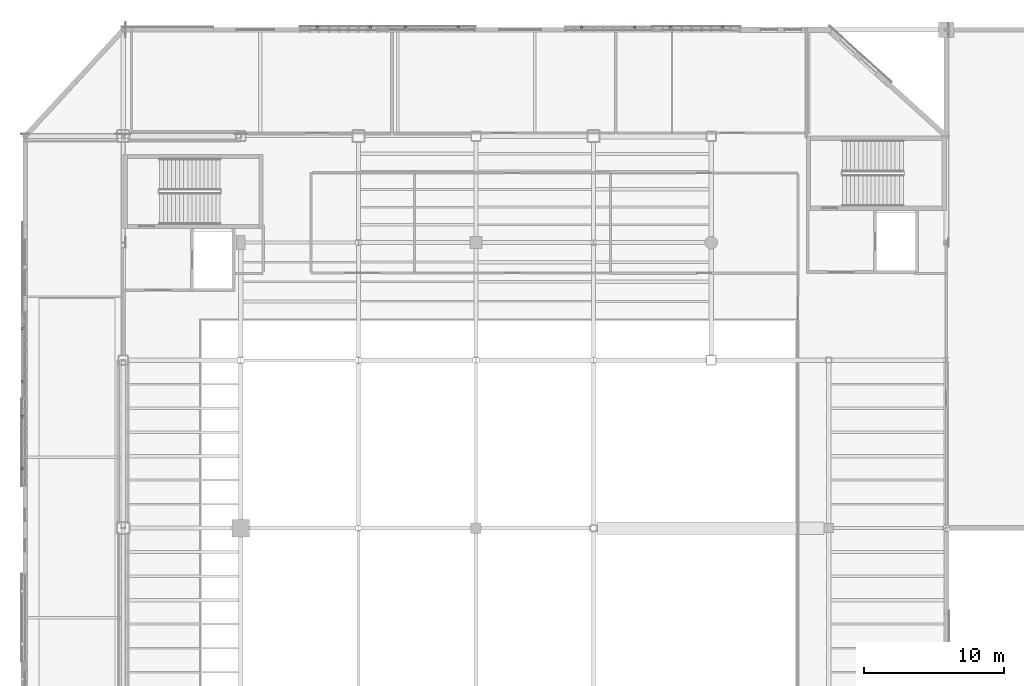
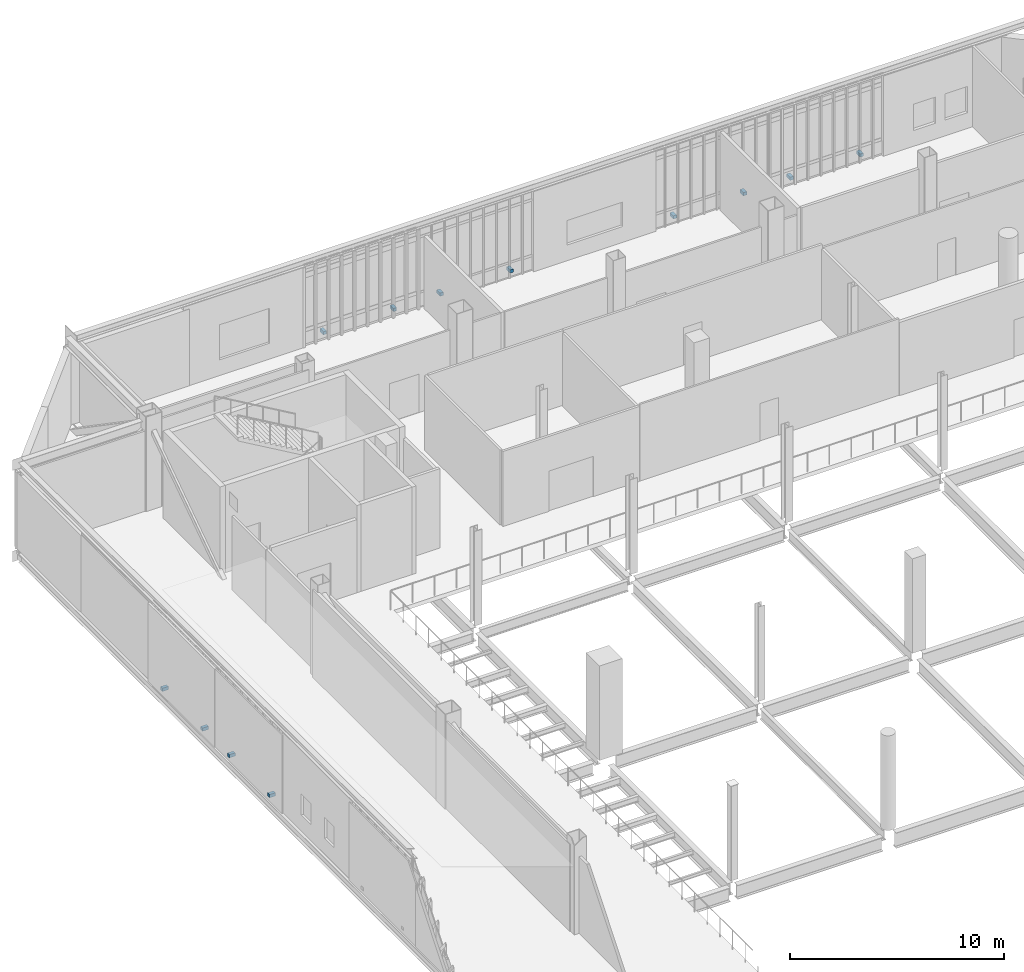
# One storey, part 115 of 127: 12 discrete accessories.
"""IFC4 building model written with IfcOpenShell, lengths in metres."""

from ifc_helpers import new_model, si_unit, direction, frame, origin, origin_2d, place, context, subcontext, project, spatial, rectangle, extrude, material, layer, layer_set, type_object, element, save


model = new_model("IFC4")

# Units and contexts
model_context = context("Model", 3, precision=1e-05, world=origin(), true_north=direction((0.0, 1.0)))
body_context = subcontext(model_context, "Body", "Model", "MODEL_VIEW")
ifc_project = project(units=[si_unit("LENGTHUNIT", "METRE"), si_unit("AREAUNIT", "SQUARE_METRE"), si_unit("VOLUMEUNIT", "CUBIC_METRE"), si_unit("PLANEANGLEUNIT", "RADIAN"), si_unit("MASSUNIT", "GRAM", prefix="KILO")], contexts=[model_context])

# Site, building, storey
site_placement = place(None, origin())
site = spatial("IfcSite", under=ifc_project, at=site_placement, CompositionType="ELEMENT")
building_placement = place(site_placement, origin())
building = spatial("IfcBuilding", under=site, at=building_placement, Name="Larkvane Passage Sports Hall", CompositionType="ELEMENT")
storey_placement = place(building_placement, frame((0.0, 0.0, 5.39990234375)))
storey = spatial("IfcBuildingStorey", under=building, at=storey_placement, Name="L01", CompositionType="ELEMENT", Elevation=5.39990234375)

# Discrete accessories
ifc_material = material(Name="Steel S355JR", Category="steel")
ifc_layer = layer(ifc_material, 0.179931640625)
ifc_layer_set = layer_set([ifc_layer], Name="Steel S355JR")
discrete_accessory_type = type_object("IfcDiscreteAccessoryType", Name="ACC-BRACKET-STL", PredefinedType="BRACKET", material=ifc_layer_set)
for number, where, z_axis, x_axis, name in (
    (1, (27.679931640625, 67.832763671875, 0.26025390625), (0.0, 0.0, 1.0), (0.0, 1.0, 0.0), "Veil outrigger bracket L01-023-1"),
    (2, (27.679931640625, 71.58544921875, 0.26025390625), (0.0, 0.0, 1.0), (0.0, 1.0, 0.0), "Veil outrigger bracket L01-023-2"),
    (3, (27.679931640625, 74.087158203125, 0.26025390625), (0.0, 0.0, 1.0), (0.0, 1.0, 0.0), "Veil outrigger bracket L01-024-1"),
    (4, (27.679931640625, 77.840087890625, 0.26025390625), (0.0, 0.0, 1.0), (0.0, 1.0, 0.0), "Veil outrigger bracket L01-024-2"),
    (5, (48.659912109375, 99.320068359375, 0.26025390625), (0.0, 0.0, 1.0), (1.0, 0.0, 0.0), "Veil outrigger bracket L01-025-1"),
    (6, (52.43994140625, 99.320068359375, 0.26025390625), (0.0, 0.0, 1.0), (1.0, 0.0, 0.0), "Veil outrigger bracket L01-025-2"),
    (7, (54.9599609375, 99.320068359375, 0.26025390625), (0.0, 0.0, 1.0), (1.0, 0.0, 0.0), "Veil outrigger bracket L01-026-1"),
    (8, (58.739990234375, 99.320068359375, 0.26025390625), (0.0, 0.0, 1.0), (1.0, 0.0, 0.0), "Veil outrigger bracket L01-026-2"),
    (9, (67.56005859375, 99.320068359375, 0.26025390625), (0.0, 0.0, 1.0), (1.0, 0.0, 0.0), "Veil outrigger bracket L01-027-1"),
    (10, (71.340087890625, 99.320068359375, 0.26025390625), (0.0, 0.0, 1.0), (1.0, 0.0, 0.0), "Veil outrigger bracket L01-027-2"),
    (11, (73.860107421875, 99.320068359375, 0.26025390625), (0.0, 0.0, 1.0), (1.0, 0.0, 0.0), "Veil outrigger bracket L01-028-1"),
    (12, (77.639892578125, 99.320068359375, 0.26025390625), (0.0, 0.0, 1.0), (1.0, 0.0, 0.0), "Veil outrigger bracket L01-028-2"),
):
    element("IfcDiscreteAccessory", number, at=place(storey_placement, frame(where, z_axis=z_axis, x_axis=x_axis)), inside=storey, type_object=discrete_accessory_type, Name=name, PredefinedType="BRACKET", context=body_context, shape_type="SweptSolid", body=[
        extrude(rectangle(XDim=0.179931640625, YDim=0.320068359375, at=origin_2d()), origin(), (0.0, 0.0, 1.0), 0.179931640625),
    ])

save(model, "model.ifc")
